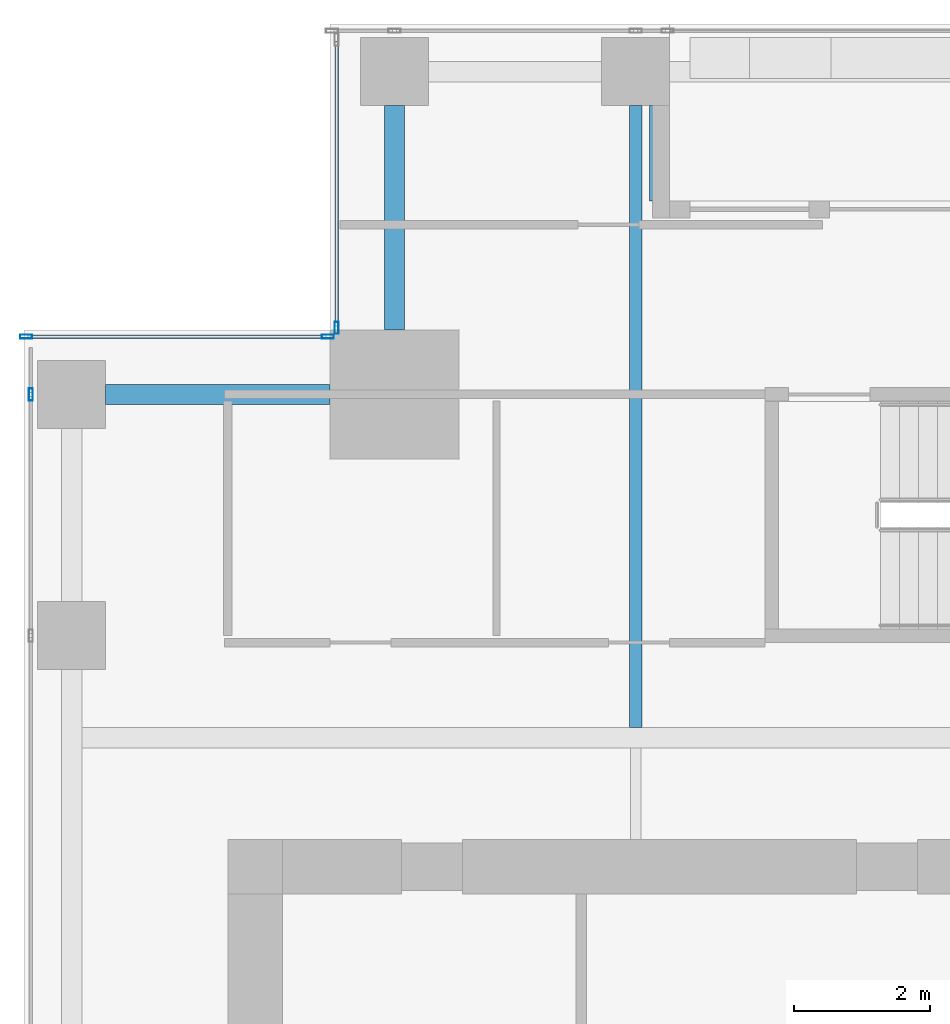
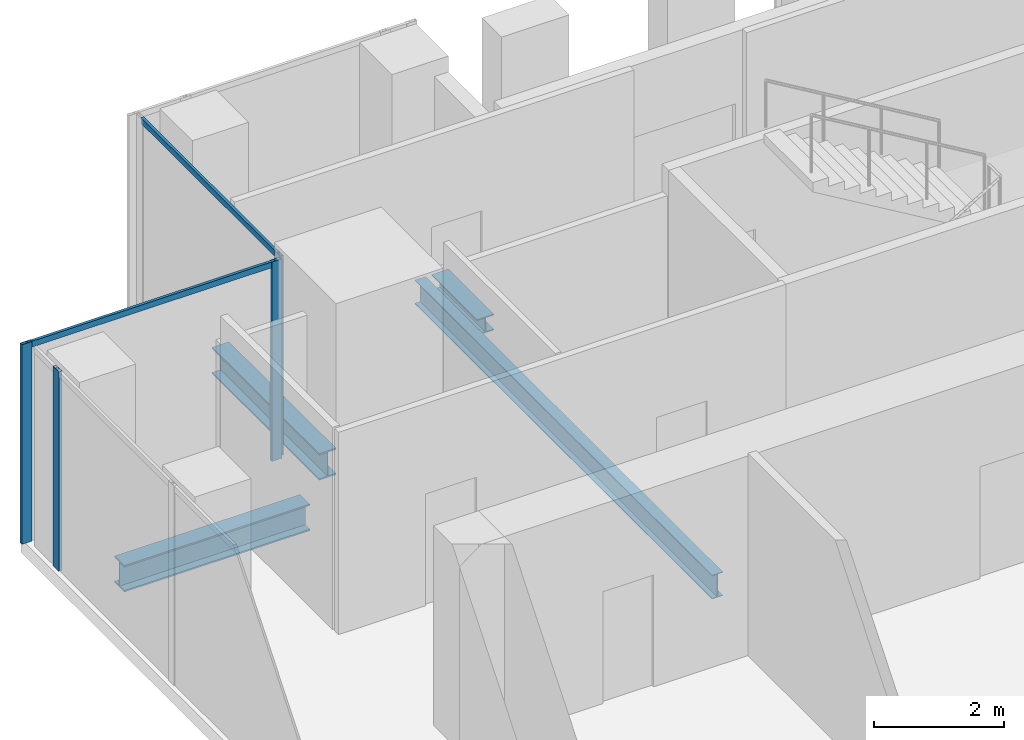
# One storey, part 19 of 40: 6 members, 4 beams, 3 elements without a shape of their own.
"""IFC4 building model written with IfcOpenShell, lengths in metres."""

from ifc_helpers import new_model, si_unit, direction, frame, origin, origin_2d, place, context, subcontext, project, spatial, hollow_rectangle, i_section, extrude, source, transform, mapped, material, material_profile, profile_set, type_object, element, aggregate, save


model = new_model("IFC4")

# Units and contexts
model_context = context("Model", 3, precision=1e-05, world=origin(), true_north=direction((0.0, 1.0)))
body_context = subcontext(model_context, "Body", "Model", "MODEL_VIEW")
ifc_project = project(units=[si_unit("LENGTHUNIT", "METRE"), si_unit("AREAUNIT", "SQUARE_METRE"), si_unit("VOLUMEUNIT", "CUBIC_METRE"), si_unit("PLANEANGLEUNIT", "RADIAN"), si_unit("MASSUNIT", "GRAM", prefix="KILO")], contexts=[model_context])

# Site, building, storey
site_placement = place(None, origin())
site = spatial("IfcSite", under=ifc_project, at=site_placement, CompositionType="ELEMENT")
building_placement = place(site_placement, origin())
building = spatial("IfcBuilding", under=site, at=building_placement, Name="Khomas Fold Tower", CompositionType="ELEMENT")
storey_placement = place(building_placement, frame((0.0, 0.0, 192.699951171875)))
storey = spatial("IfcBuildingStorey", under=building, at=storey_placement, Name="L42", CompositionType="ELEMENT", Elevation=192.699951171875)

# Beams
ifc_material_1 = material(Name="Steel S355", Category="steel")
ifc_material_profile_1 = material_profile(ifc_material_1, i_section(OverallWidth=0.300048828125, OverallDepth=0.5, WebThickness=0.014404296875, FlangeThickness=0.028076171875, at=origin_2d()), Name="HE 500 B")
ifc_profile_set_1 = profile_set([ifc_material_profile_1], Name="Steel S355")
beam_type_1 = type_object("IfcBeamType", Name="HE 500 B spandrel SB3", PredefinedType="SPANDREL", material=ifc_profile_set_1)
shared_shape_1 = source(origin(), body_context, "Body", "SweptSolid", [
    extrude(i_section(OverallWidth=0.300048828125, OverallDepth=0.5, WebThickness=0.014404296875, FlangeThickness=0.028076171875, at=origin_2d()), origin(), (0.0, 0.0, 1.0), 3.300048828125),
])
for number, where, z_axis, x_axis, name in (
    (1, (8.449951171875, 46.5, -0.5), (0.0, 1.0, 0.0), (-1.0, 0.0, 0.0), "SB3"),
    (2, (4.199951171875, 45.550048828125, -0.5), (1.0, 0.0, 0.0), (0.0, 1.0, 0.0), "SB3"),
):
    element("IfcBeam", number, at=place(storey_placement, frame(where, z_axis=z_axis, x_axis=x_axis)), inside=storey, type_object=beam_type_1, Name=name, PredefinedType="SPANDREL", context=body_context, shape_type="MappedRepresentation", body=[
        mapped(shared_shape_1, transform((0.0, 0.0, 0.0))),
    ])
ifc_material_2 = material(Name="Steel S355", Category="steel")
ifc_material_profile_2 = material_profile(ifc_material_2, i_section(OverallWidth=0.18994140625, OverallDepth=0.449951171875, WebThickness=0.009521484375, FlangeThickness=0.0146484375, at=origin_2d()), Name="IPE 450")
ifc_profile_set_2 = profile_set([ifc_material_profile_2], Name="Steel S355")
beam_type_2 = type_object("IfcBeamType", Name="IPE 450 beam JB4", PredefinedType="BEAM", material=ifc_profile_set_2)
shared_shape_2 = source(origin(), body_context, "Body", "SweptSolid", [
    extrude(i_section(OverallWidth=0.18994140625, OverallDepth=0.449951171875, WebThickness=0.009521484375, FlangeThickness=0.0146484375, at=origin_2d()), origin(), (0.0, 0.0, 1.0), 9.150146484375),
])
beam_1_placement = place(storey_placement, frame((12.0, 40.64990234375, -0.474853515625), z_axis=(0.0, 1.0, 0.0), x_axis=(-1.0, 0.0, 0.0)))
element("IfcBeam", 3, at=beam_1_placement, inside=storey, type_object=beam_type_2, Name="JB4", PredefinedType="BEAM", context=body_context, shape_type="MappedRepresentation", body=[
    mapped(shared_shape_2, transform((0.0, 0.0, 0.0))),
])
ifc_material_3 = material(Name="Steel S355", Category="steel")
ifc_material_profile_3 = material_profile(ifc_material_3, i_section(OverallWidth=0.300048828125, OverallDepth=0.300048828125, WebThickness=0.010986328125, FlangeThickness=0.01904296875, at=origin_2d()), Name="HE 300 B")
ifc_profile_set_3 = profile_set([ifc_material_profile_3], Name="Steel S355")
beam_type_3 = type_object("IfcBeamType", Name="HE 300 B beam BB1", PredefinedType="BEAM", material=ifc_profile_set_3)
shared_shape_3 = source(origin(), body_context, "Body", "SweptSolid", [
    extrude(i_section(OverallWidth=0.300048828125, OverallDepth=0.300048828125, WebThickness=0.010986328125, FlangeThickness=0.01904296875, at=origin_2d()), origin(), (0.0, 0.0, 1.0), 1.400146484375),
])
beam_2_placement = place(storey_placement, frame((12.35009765625, 48.39990234375, -0.39990234375), z_axis=(0.0, 1.0, 0.0), x_axis=(-1.0, 0.0, 0.0)))
element("IfcBeam", 4, at=beam_2_placement, inside=storey, type_object=beam_type_3, Name="BB1", PredefinedType="BEAM", context=body_context, shape_type="MappedRepresentation", body=[
    mapped(shared_shape_3, transform((0.0, 0.0, 0.0))),
])

# Curtain wall, member
ifc_material_4 = material(Name="Aluminium framed double glazing", Category="aluminium")
curtain_wall_type = type_object("IfcCurtainWallType", Name="SK-Unitised clear-glass wall, office floors CW2", PredefinedType="NOTDEFINED", material=ifc_material_4)
curtain_wall_1_placement = place(storey_placement, origin())
curtain_wall_1 = element("IfcCurtainWall", 5, at=curtain_wall_1_placement, inside=storey, type_object=curtain_wall_type, Name="CW2 corner return L42 07", PredefinedType="NOTDEFINED")
ifc_material_5 = material(Name="Aluminium", Category="aluminium")
ifc_material_profile_4 = material_profile(ifc_material_5, hollow_rectangle(XDim=0.06005859375, YDim=0.179931640625, WallThickness=0.00390625, at=origin_2d()), Name="SK-Unitised clear-glass wall, office floors mullion CW2-M")
ifc_profile_set_4 = profile_set([ifc_material_profile_4], Name="Aluminium")
member_type_1 = type_object("IfcMemberType", Name="SK-Unitised clear-glass wall, office floors mullion CW2-M", PredefinedType="MULLION", material=ifc_profile_set_4)
shared_shape_4 = source(origin(), body_context, "Body", "SweptSolid", [
    extrude(hollow_rectangle(XDim=0.06005859375, YDim=0.179931640625, WallThickness=0.00390625, at=origin_2d()), origin(), (0.0, 0.0, 1.0), 3.75),
])
member_1_placement = place(storey_placement, frame((7.60009765625, 46.530029296875, 0.0), z_axis=(0.0, 0.0, 1.0), x_axis=(1.0, 0.0, 0.0)))
member_1 = element("IfcMember", 6, at=member_1_placement, type_object=member_type_1, Name="CW2 mullion 2", PredefinedType="MULLION", context=body_context, shape_type="MappedRepresentation", body=[
    mapped(shared_shape_4, transform((0.0, 0.0, 0.0))),
])

# Curtain wall, members
curtain_wall_2_placement = place(storey_placement, origin())
curtain_wall_2 = element("IfcCurtainWall", 7, at=curtain_wall_2_placement, inside=storey, type_object=curtain_wall_type, Name="CW2 corner return L42 08", PredefinedType="NOTDEFINED")
member_2_placement = place(storey_placement, frame((7.469970703125, 46.39990234375, 0.0), z_axis=(0.0, 0.0, 1.0), x_axis=(0.0, -1.0, 0.0)))
member_2 = element("IfcMember", 8, at=member_2_placement, type_object=member_type_1, Name="CW2 mullion 1", PredefinedType="MULLION", context=body_context, shape_type="MappedRepresentation", body=[
    mapped(shared_shape_4, transform((0.0, 0.0, 0.0))),
])
member_3_placement = place(storey_placement, frame((3.030029296875, 46.39990234375, 0.0), z_axis=(0.0, 0.0, 1.0), x_axis=(0.0, -1.0, 0.0)))
member_3 = element("IfcMember", 9, at=member_3_placement, type_object=member_type_1, Name="CW2 mullion 2", PredefinedType="MULLION", context=body_context, shape_type="MappedRepresentation", body=[
    mapped(shared_shape_4, transform((0.0, 0.0, 0.0))),
])

# Curtain wall, member
curtain_wall_3_placement = place(storey_placement, origin())
curtain_wall_3 = element("IfcCurtainWall", 10, at=curtain_wall_3_placement, inside=storey, type_object=curtain_wall_type, Name="CW2 run L42 09-0", PredefinedType="NOTDEFINED")
member_4_placement = place(storey_placement, frame((3.10009765625, 45.550048828125, 0.0), z_axis=(0.0, 0.0, 1.0), x_axis=(1.0, 0.0, 0.0)))
member_4 = element("IfcMember", 11, at=member_4_placement, type_object=member_type_1, Name="CW2 mullion 2", PredefinedType="MULLION", context=body_context, shape_type="MappedRepresentation", body=[
    mapped(shared_shape_4, transform((0.0, 0.0, 0.0))),
])
aggregate(curtain_wall_3, [member_4])

# Member
ifc_material_6 = material(Name="Aluminium", Category="aluminium")
ifc_material_profile_5 = material_profile(ifc_material_6, hollow_rectangle(XDim=0.050048828125, YDim=0.110107421875, WallThickness=0.00390625, at=origin_2d()), Name="SK-Unitised clear-glass wall, office floors transom CW2-T")
ifc_profile_set_5 = profile_set([ifc_material_profile_5], Name="Aluminium")
member_type_2 = type_object("IfcMemberType", Name="SK-Unitised clear-glass wall, office floors transom CW2-T", PredefinedType="USERDEFINED", material=ifc_profile_set_5)
shared_shape_5 = source(origin(), body_context, "Body", "SweptSolid", [
    extrude(hollow_rectangle(XDim=0.050048828125, YDim=0.110107421875, WallThickness=0.00390625, at=origin_2d()), origin(), (0.0, 0.0, 1.0), 4.3798828125),
])
member_5_placement = place(storey_placement, frame((7.43994140625, 46.39990234375, 3.695068359375), z_axis=(-1.0, 0.0, 0.0), x_axis=(0.0, -1.0, 0.0)))
member_5 = element("IfcMember", 12, at=member_5_placement, type_object=member_type_2, Name="CW2 transom 1", ObjectType="TRANSOM", PredefinedType="USERDEFINED", context=body_context, shape_type="MappedRepresentation", body=[
    mapped(shared_shape_5, transform((0.0, 0.0, 0.0))),
])

aggregate(curtain_wall_2, [member_2, member_3, member_5])

shared_shape_6 = source(origin(), body_context, "Body", "SweptSolid", [
    extrude(hollow_rectangle(XDim=0.050048828125, YDim=0.110107421875, WallThickness=0.00390625, at=origin_2d()), origin(), (0.0, 0.0, 1.0), 4.179931640625),
])
member_6_placement = place(storey_placement, frame((7.60009765625, 50.739990234375, 3.695068359375), z_axis=(0.0, -1.0, 0.0), x_axis=(1.0, 0.0, 0.0)))
member_6 = element("IfcMember", 13, at=member_6_placement, type_object=member_type_2, Name="CW2 transom 1", ObjectType="TRANSOM", PredefinedType="USERDEFINED", context=body_context, shape_type="MappedRepresentation", body=[
    mapped(shared_shape_6, transform((0.0, 0.0, 0.0))),
])

aggregate(curtain_wall_1, [member_1, member_6])

save(model, "model.ifc")
